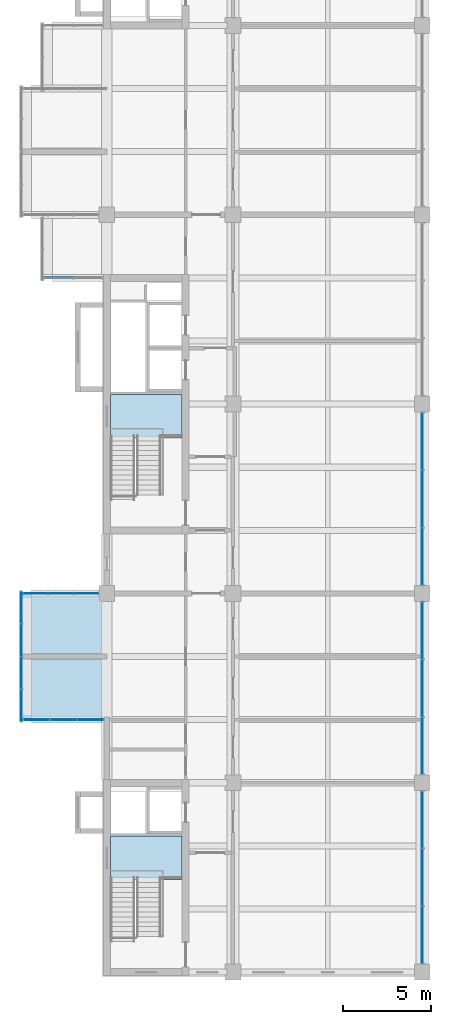
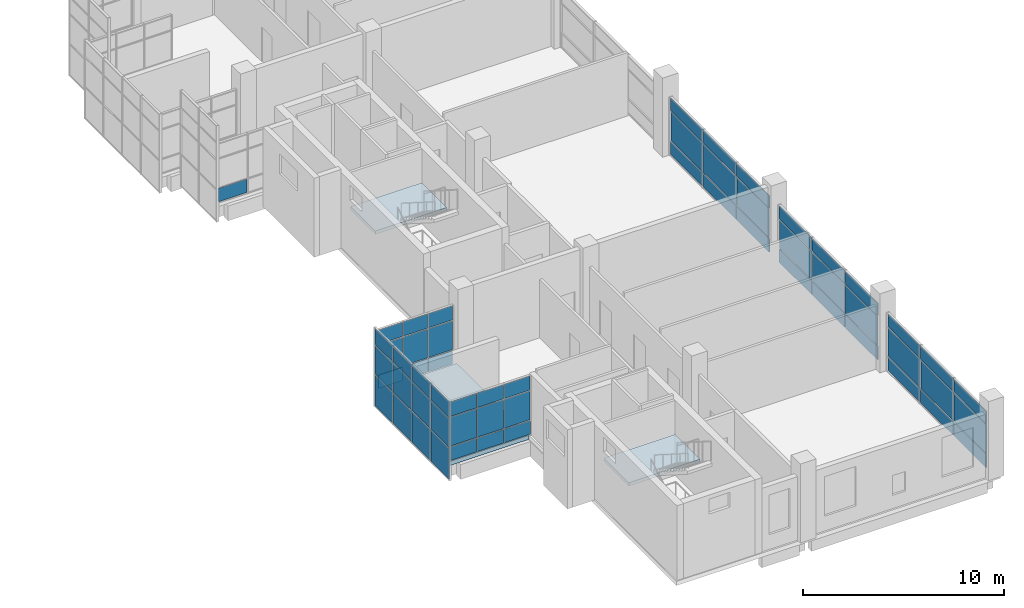
# One storey, part 9 of 15: 58 plates, 3 slabs, 9 elements without a shape of their own.
"""IFC4 building model written with IfcOpenShell, lengths in metres."""

from ifc_helpers import new_model, si_unit, direction, frame, origin, origin_2d, place, context, subcontext, project, spatial, polyline, rectangle, outline, extrude, material, layer, layer_set, type_object, element, aggregate, save


model = new_model("IFC4")

# Units and contexts
model_context = context("Model", 3, precision=1e-05, world=origin(), true_north=direction((0.0, 1.0)))
body_context = subcontext(model_context, "Body", "Model", "MODEL_VIEW")
ifc_project = project(units=[si_unit("LENGTHUNIT", "METRE"), si_unit("AREAUNIT", "SQUARE_METRE"), si_unit("VOLUMEUNIT", "CUBIC_METRE"), si_unit("PLANEANGLEUNIT", "RADIAN"), si_unit("MASSUNIT", "GRAM", prefix="KILO")], contexts=[model_context])

# Site, building, storey
site_placement = place(None, origin())
site = spatial("IfcSite", under=ifc_project, at=site_placement, CompositionType="ELEMENT")
building_placement = place(site_placement, origin())
building = spatial("IfcBuilding", under=site, at=building_placement, Name="Basin Gate Institute", CompositionType="ELEMENT")
storey_placement = place(building_placement, frame((0.0, 0.0, 55.800048828125)))
storey = spatial("IfcBuildingStorey", under=building, at=storey_placement, Name="L11", CompositionType="ELEMENT", Elevation=55.800048828125)

# Slab
ifc_material_1 = material(Name="Concrete 40 MPa", Category="concrete")
ifc_layer_1 = layer(ifc_material_1, 0.25)
ifc_layer_set_1 = layer_set([ifc_layer_1], Name="Concrete 40 MPa")
slab_type_1 = type_object("IfcSlabType", Name="Slab SL4 R120", PredefinedType="FLOOR", material=ifc_layer_set_1)
slab_1_placement = place(storey_placement, frame((0.0, 0.0, -0.25)))
element("IfcSlab", 1, at=slab_1_placement, inside=storey, type_object=slab_type_1, material=ifc_layer_set_1, Name="SLAB/L11/WK12", PredefinedType="FLOOR", context=body_context, shape_type="SweptSolid", body=[
    extrude(outline(polyline([(60.949951171875, 49.5), (56.39990234375, 49.5), (56.39990234375, 56.699951171875), (60.949951171875, 56.699951171875), (60.949951171875, 49.5)])), origin(), (0.0, 0.0, 1.0), 0.25),
])

# Curtain wall, plates
ifc_material_2 = material(Name="Aluminium-framed glazing", Category="aluminium")
ifc_layer_2 = layer(ifc_material_2, 0.199951171875)
ifc_layer_set_2 = layer_set([ifc_layer_2], Name="Atrium curtain wall CW2")
curtain_wall_type_1 = type_object("IfcCurtainWallType", Name="Atrium curtain wall CW2", PredefinedType="NOTDEFINED", material=ifc_layer_set_2)
curtain_wall_1_placement = place(storey_placement, origin())
curtain_wall_1 = element("IfcCurtainWall", 2, at=curtain_wall_1_placement, inside=storey, type_object=curtain_wall_type_1, material=ifc_layer_set_2, Name="Atrium curtain wall W wing atrium bay 1 L11", PredefinedType="NOTDEFINED")
ifc_material_3 = material(Name="Aluminium insulated spandrel panel", Category="aluminium")
ifc_layer_3 = layer(ifc_material_3, 0.050048828125)
ifc_layer_set_3 = layer_set([ifc_layer_3], Name="Spandrel panel PN2")
plate_type_1 = type_object("IfcPlateType", Name="Spandrel panel PN2", PredefinedType="CURTAIN_PANEL", material=ifc_layer_set_3)
plate_1_placement = place(storey_placement, frame((79.199951171875, 37.215087890625, 0.059814453125), z_axis=(0.0, 0.0, 1.0), x_axis=(0.0, 1.0, 0.0)))
plate_1 = element("IfcPlate", 3, at=plate_1_placement, type_object=plate_type_1, material=ifc_layer_set_3, Name="CW2 spandrel panel 1.1", PredefinedType="CURTAIN_PANEL", context=body_context, shape_type="SweptSolid", body=[
    extrude(rectangle(XDim=3.2099609375, YDim=0.050048828125, at=origin_2d()), origin(), (0.0, 0.0, 1.0), 0.81005859375),
])
plate_2_placement = place(storey_placement, frame((79.199951171875, 37.215087890625, 2.72998046875), z_axis=(0.0, 0.0, 1.0), x_axis=(0.0, 1.0, 0.0)))
plate_2 = element("IfcPlate", 4, at=plate_2_placement, type_object=plate_type_1, material=ifc_layer_set_3, Name="CW2 spandrel panel 1.3", PredefinedType="CURTAIN_PANEL", context=body_context, shape_type="SweptSolid", body=[
    extrude(rectangle(XDim=3.2099609375, YDim=0.050048828125, at=origin_2d()), origin(), (0.0, 0.0, 1.0), 0.760009765625),
])
plate_3_placement = place(storey_placement, frame((79.199951171875, 40.5, 0.059814453125), z_axis=(0.0, 0.0, 1.0), x_axis=(0.0, 1.0, 0.0)))
plate_3 = element("IfcPlate", 5, at=plate_3_placement, type_object=plate_type_1, material=ifc_layer_set_3, Name="CW2 spandrel panel 2.1", PredefinedType="CURTAIN_PANEL", context=body_context, shape_type="SweptSolid", body=[
    extrude(rectangle(XDim=3.239990234375, YDim=0.050048828125, at=origin_2d()), origin(), (0.0, 0.0, 1.0), 0.81005859375),
])
plate_4_placement = place(storey_placement, frame((79.199951171875, 40.5, 2.72998046875), z_axis=(0.0, 0.0, 1.0), x_axis=(0.0, 1.0, 0.0)))
plate_4 = element("IfcPlate", 6, at=plate_4_placement, type_object=plate_type_1, material=ifc_layer_set_3, Name="CW2 spandrel panel 2.3", PredefinedType="CURTAIN_PANEL", context=body_context, shape_type="SweptSolid", body=[
    extrude(rectangle(XDim=3.239990234375, YDim=0.050048828125, at=origin_2d()), origin(), (0.0, 0.0, 1.0), 0.760009765625),
])
plate_5_placement = place(storey_placement, frame((79.199951171875, 43.784912109375, 0.059814453125), z_axis=(0.0, 0.0, 1.0), x_axis=(0.0, 1.0, 0.0)))
plate_5 = element("IfcPlate", 7, at=plate_5_placement, type_object=plate_type_1, material=ifc_layer_set_3, Name="CW2 spandrel panel 3.1", PredefinedType="CURTAIN_PANEL", context=body_context, shape_type="SweptSolid", body=[
    extrude(rectangle(XDim=3.2099609375, YDim=0.050048828125, at=origin_2d()), origin(), (0.0, 0.0, 1.0), 0.81005859375),
])
plate_6_placement = place(storey_placement, frame((79.199951171875, 43.784912109375, 2.72998046875), z_axis=(0.0, 0.0, 1.0), x_axis=(0.0, 1.0, 0.0)))
plate_6 = element("IfcPlate", 8, at=plate_6_placement, type_object=plate_type_1, material=ifc_layer_set_3, Name="CW2 spandrel panel 3.3", PredefinedType="CURTAIN_PANEL", context=body_context, shape_type="SweptSolid", body=[
    extrude(rectangle(XDim=3.2099609375, YDim=0.050048828125, at=origin_2d()), origin(), (0.0, 0.0, 1.0), 0.760009765625),
])

curtain_wall_2_placement = place(storey_placement, origin())
curtain_wall_2 = element("IfcCurtainWall", 9, at=curtain_wall_2_placement, inside=storey, type_object=curtain_wall_type_1, material=ifc_layer_set_2, Name="Atrium curtain wall W wing atrium bay 2 L11", PredefinedType="NOTDEFINED")
plate_7_placement = place(storey_placement, frame((79.199951171875, 48.014892578125, 0.059814453125), z_axis=(0.0, 0.0, 1.0), x_axis=(0.0, 1.0, 0.0)))
plate_7 = element("IfcPlate", 10, at=plate_7_placement, type_object=plate_type_1, material=ifc_layer_set_3, Name="CW2 spandrel panel 1.1", PredefinedType="CURTAIN_PANEL", context=body_context, shape_type="SweptSolid", body=[
    extrude(rectangle(XDim=3.2099609375, YDim=0.050048828125, at=origin_2d()), origin(), (0.0, 0.0, 1.0), 0.81005859375),
])
plate_8_placement = place(storey_placement, frame((79.199951171875, 48.014892578125, 2.72998046875), z_axis=(0.0, 0.0, 1.0), x_axis=(0.0, 1.0, 0.0)))
plate_8 = element("IfcPlate", 11, at=plate_8_placement, type_object=plate_type_1, material=ifc_layer_set_3, Name="CW2 spandrel panel 1.3", PredefinedType="CURTAIN_PANEL", context=body_context, shape_type="SweptSolid", body=[
    extrude(rectangle(XDim=3.2099609375, YDim=0.050048828125, at=origin_2d()), origin(), (0.0, 0.0, 1.0), 0.760009765625),
])
plate_9_placement = place(storey_placement, frame((79.199951171875, 51.300048828125, 0.059814453125), z_axis=(0.0, 0.0, 1.0), x_axis=(0.0, 1.0, 0.0)))
plate_9 = element("IfcPlate", 12, at=plate_9_placement, type_object=plate_type_1, material=ifc_layer_set_3, Name="CW2 spandrel panel 2.1", PredefinedType="CURTAIN_PANEL", context=body_context, shape_type="SweptSolid", body=[
    extrude(rectangle(XDim=3.239990234375, YDim=0.050048828125, at=origin_2d()), origin(), (0.0, 0.0, 1.0), 0.81005859375),
])
plate_10_placement = place(storey_placement, frame((79.199951171875, 51.300048828125, 2.72998046875), z_axis=(0.0, 0.0, 1.0), x_axis=(0.0, 1.0, 0.0)))
plate_10 = element("IfcPlate", 13, at=plate_10_placement, type_object=plate_type_1, material=ifc_layer_set_3, Name="CW2 spandrel panel 2.3", PredefinedType="CURTAIN_PANEL", context=body_context, shape_type="SweptSolid", body=[
    extrude(rectangle(XDim=3.239990234375, YDim=0.050048828125, at=origin_2d()), origin(), (0.0, 0.0, 1.0), 0.760009765625),
])
plate_11_placement = place(storey_placement, frame((79.199951171875, 54.5849609375, 0.059814453125), z_axis=(0.0, 0.0, 1.0), x_axis=(0.0, 1.0, 0.0)))
plate_11 = element("IfcPlate", 14, at=plate_11_placement, type_object=plate_type_1, material=ifc_layer_set_3, Name="CW2 spandrel panel 3.1", PredefinedType="CURTAIN_PANEL", context=body_context, shape_type="SweptSolid", body=[
    extrude(rectangle(XDim=3.2099609375, YDim=0.050048828125, at=origin_2d()), origin(), (0.0, 0.0, 1.0), 0.81005859375),
])
plate_12_placement = place(storey_placement, frame((79.199951171875, 54.5849609375, 2.72998046875), z_axis=(0.0, 0.0, 1.0), x_axis=(0.0, 1.0, 0.0)))
plate_12 = element("IfcPlate", 15, at=plate_12_placement, type_object=plate_type_1, material=ifc_layer_set_3, Name="CW2 spandrel panel 3.3", PredefinedType="CURTAIN_PANEL", context=body_context, shape_type="SweptSolid", body=[
    extrude(rectangle(XDim=3.2099609375, YDim=0.050048828125, at=origin_2d()), origin(), (0.0, 0.0, 1.0), 0.760009765625),
])

curtain_wall_3_placement = place(storey_placement, origin())
curtain_wall_3 = element("IfcCurtainWall", 16, at=curtain_wall_3_placement, inside=storey, type_object=curtain_wall_type_1, material=ifc_layer_set_2, Name="Atrium curtain wall W wing atrium bay 3 L11", PredefinedType="NOTDEFINED")
plate_13_placement = place(storey_placement, frame((79.199951171875, 58.81494140625, 0.059814453125), z_axis=(0.0, 0.0, 1.0), x_axis=(0.0, 1.0, 0.0)))
plate_13 = element("IfcPlate", 17, at=plate_13_placement, type_object=plate_type_1, material=ifc_layer_set_3, Name="CW2 spandrel panel 1.1", PredefinedType="CURTAIN_PANEL", context=body_context, shape_type="SweptSolid", body=[
    extrude(rectangle(XDim=3.2099609375, YDim=0.050048828125, at=origin_2d()), origin(), (0.0, 0.0, 1.0), 0.81005859375),
])
plate_14_placement = place(storey_placement, frame((79.199951171875, 58.81494140625, 2.72998046875), z_axis=(0.0, 0.0, 1.0), x_axis=(0.0, 1.0, 0.0)))
plate_14 = element("IfcPlate", 18, at=plate_14_placement, type_object=plate_type_1, material=ifc_layer_set_3, Name="CW2 spandrel panel 1.3", PredefinedType="CURTAIN_PANEL", context=body_context, shape_type="SweptSolid", body=[
    extrude(rectangle(XDim=3.2099609375, YDim=0.050048828125, at=origin_2d()), origin(), (0.0, 0.0, 1.0), 0.760009765625),
])
plate_15_placement = place(storey_placement, frame((79.199951171875, 62.10009765625, 0.059814453125), z_axis=(0.0, 0.0, 1.0), x_axis=(0.0, 1.0, 0.0)))
plate_15 = element("IfcPlate", 19, at=plate_15_placement, type_object=plate_type_1, material=ifc_layer_set_3, Name="CW2 spandrel panel 2.1", PredefinedType="CURTAIN_PANEL", context=body_context, shape_type="SweptSolid", body=[
    extrude(rectangle(XDim=3.239990234375, YDim=0.050048828125, at=origin_2d()), origin(), (0.0, 0.0, 1.0), 0.81005859375),
])
plate_16_placement = place(storey_placement, frame((79.199951171875, 62.10009765625, 2.72998046875), z_axis=(0.0, 0.0, 1.0), x_axis=(0.0, 1.0, 0.0)))
plate_16 = element("IfcPlate", 20, at=plate_16_placement, type_object=plate_type_1, material=ifc_layer_set_3, Name="CW2 spandrel panel 2.3", PredefinedType="CURTAIN_PANEL", context=body_context, shape_type="SweptSolid", body=[
    extrude(rectangle(XDim=3.239990234375, YDim=0.050048828125, at=origin_2d()), origin(), (0.0, 0.0, 1.0), 0.760009765625),
])
plate_17_placement = place(storey_placement, frame((79.199951171875, 65.385009765625, 0.059814453125), z_axis=(0.0, 0.0, 1.0), x_axis=(0.0, 1.0, 0.0)))
plate_17 = element("IfcPlate", 21, at=plate_17_placement, type_object=plate_type_1, material=ifc_layer_set_3, Name="CW2 spandrel panel 3.1", PredefinedType="CURTAIN_PANEL", context=body_context, shape_type="SweptSolid", body=[
    extrude(rectangle(XDim=3.2099609375, YDim=0.050048828125, at=origin_2d()), origin(), (0.0, 0.0, 1.0), 0.81005859375),
])
plate_18_placement = place(storey_placement, frame((79.199951171875, 65.385009765625, 2.72998046875), z_axis=(0.0, 0.0, 1.0), x_axis=(0.0, 1.0, 0.0)))
plate_18 = element("IfcPlate", 22, at=plate_18_placement, type_object=plate_type_1, material=ifc_layer_set_3, Name="CW2 spandrel panel 3.3", PredefinedType="CURTAIN_PANEL", context=body_context, shape_type="SweptSolid", body=[
    extrude(rectangle(XDim=3.2099609375, YDim=0.050048828125, at=origin_2d()), origin(), (0.0, 0.0, 1.0), 0.760009765625),
])

ifc_material_4 = material(Name="Aluminium-framed glazing", Category="aluminium")
ifc_layer_4 = layer(ifc_material_4, 0.14990234375)
ifc_layer_set_4 = layer_set([ifc_layer_4], Name="Capsule front curtain wall CW1")
curtain_wall_type_2 = type_object("IfcCurtainWallType", Name="Capsule front curtain wall CW1", PredefinedType="NOTDEFINED", material=ifc_layer_set_4)
curtain_wall_4_placement = place(storey_placement, origin())
curtain_wall_4 = element("IfcCurtainWall", 23, at=curtain_wall_4_placement, inside=storey, type_object=curtain_wall_type_2, material=ifc_layer_set_4, Name="Capsule front curtain wall W wing capsule end L11 line 5", PredefinedType="NOTDEFINED")
plate_19_placement = place(storey_placement, frame((57.1875, 49.5, 0.059814453125), z_axis=(0.0, 0.0, 1.0), x_axis=(1.0, 0.0, 0.0)))
plate_19 = element("IfcPlate", 24, at=plate_19_placement, type_object=plate_type_1, material=ifc_layer_set_3, Name="CW1 spandrel panel 1.1", PredefinedType="CURTAIN_PANEL", context=body_context, shape_type="SweptSolid", body=[
    extrude(rectangle(XDim=1.47509765625, YDim=0.050048828125, at=origin_2d()), origin(), (0.0, 0.0, 1.0), 0.81005859375),
])
plate_20_placement = place(storey_placement, frame((58.72509765625, 49.5, 0.059814453125), z_axis=(0.0, 0.0, 1.0), x_axis=(1.0, 0.0, 0.0)))
plate_20 = element("IfcPlate", 25, at=plate_20_placement, type_object=plate_type_1, material=ifc_layer_set_3, Name="CW1 spandrel panel 2.1", PredefinedType="CURTAIN_PANEL", context=body_context, shape_type="SweptSolid", body=[
    extrude(rectangle(XDim=1.5, YDim=0.050048828125, at=origin_2d()), origin(), (0.0, 0.0, 1.0), 0.81005859375),
])
plate_21_placement = place(storey_placement, frame((60.262451171875, 49.5, 0.059814453125), z_axis=(0.0, 0.0, 1.0), x_axis=(1.0, 0.0, 0.0)))
plate_21 = element("IfcPlate", 26, at=plate_21_placement, type_object=plate_type_1, material=ifc_layer_set_3, Name="CW1 spandrel panel 3.1", PredefinedType="CURTAIN_PANEL", context=body_context, shape_type="SweptSolid", body=[
    extrude(rectangle(XDim=1.47509765625, YDim=0.050048828125, at=origin_2d()), origin(), (0.0, 0.0, 1.0), 0.81005859375),
])

curtain_wall_5_placement = place(storey_placement, origin())
curtain_wall_5 = element("IfcCurtainWall", 27, at=curtain_wall_5_placement, inside=storey, type_object=curtain_wall_type_2, material=ifc_layer_set_4, Name="Capsule front curtain wall W wing capsule end L11 line 7", PredefinedType="NOTDEFINED")
plate_22_placement = place(storey_placement, frame((57.137451171875, 56.699951171875, 0.059814453125), z_axis=(0.0, 0.0, 1.0), x_axis=(1.0, 0.0, 0.0)))
plate_22 = element("IfcPlate", 28, at=plate_22_placement, type_object=plate_type_1, material=ifc_layer_set_3, Name="CW1 spandrel panel 1.1", PredefinedType="CURTAIN_PANEL", context=body_context, shape_type="SweptSolid", body=[
    extrude(rectangle(XDim=1.375, YDim=0.050048828125, at=origin_2d()), origin(), (0.0, 0.0, 1.0), 0.81005859375),
])
plate_23_placement = place(storey_placement, frame((58.574951171875, 56.699951171875, 0.059814453125), z_axis=(0.0, 0.0, 1.0), x_axis=(1.0, 0.0, 0.0)))
plate_23 = element("IfcPlate", 29, at=plate_23_placement, type_object=plate_type_1, material=ifc_layer_set_3, Name="CW1 spandrel panel 2.1", PredefinedType="CURTAIN_PANEL", context=body_context, shape_type="SweptSolid", body=[
    extrude(rectangle(XDim=1.39990234375, YDim=0.050048828125, at=origin_2d()), origin(), (0.0, 0.0, 1.0), 0.81005859375),
])
plate_24_placement = place(storey_placement, frame((60.012451171875, 56.699951171875, 0.059814453125), z_axis=(0.0, 0.0, 1.0), x_axis=(1.0, 0.0, 0.0)))
plate_24 = element("IfcPlate", 30, at=plate_24_placement, type_object=plate_type_1, material=ifc_layer_set_3, Name="CW1 spandrel panel 3.1", PredefinedType="CURTAIN_PANEL", context=body_context, shape_type="SweptSolid", body=[
    extrude(rectangle(XDim=1.375, YDim=0.050048828125, at=origin_2d()), origin(), (0.0, 0.0, 1.0), 0.81005859375),
])

# Curtain wall, plate
curtain_wall_6_placement = place(storey_placement, origin())
curtain_wall_6 = element("IfcCurtainWall", 31, at=curtain_wall_6_placement, inside=storey, type_object=curtain_wall_type_2, material=ifc_layer_set_4, Name="Capsule front curtain wall W wing capsule end L11 line 12", PredefinedType="NOTDEFINED")
plate_25_placement = place(storey_placement, frame((58.46240234375, 74.699951171875, 0.059814453125), z_axis=(0.0, 0.0, 1.0), x_axis=(1.0, 0.0, 0.0)))
plate_25 = element("IfcPlate", 32, at=plate_25_placement, type_object=plate_type_1, material=ifc_layer_set_3, Name="CW1 spandrel panel 1.1", PredefinedType="CURTAIN_PANEL", context=body_context, shape_type="SweptSolid", body=[
    extrude(rectangle(XDim=1.625, YDim=0.050048828125, at=origin_2d()), origin(), (0.0, 0.0, 1.0), 0.81005859375),
])
aggregate(curtain_wall_6, [plate_25])

# Curtain wall, plates
curtain_wall_7_placement = place(storey_placement, origin())
curtain_wall_7 = element("IfcCurtainWall", 33, at=curtain_wall_7_placement, inside=storey, type_object=curtain_wall_type_2, material=ifc_layer_set_4, Name="Capsule front curtain wall W wing capsule 1 L11 front 2", PredefinedType="NOTDEFINED")
plate_26_placement = place(storey_placement, frame((56.324951171875, 50.300048828125, -0.990234375), z_axis=(0.0, 0.0, 1.0), x_axis=(0.0, 1.0, 0.0)))
plate_26 = element("IfcPlate", 34, at=plate_26_placement, type_object=plate_type_1, material=ifc_layer_set_3, Name="CW1 spandrel panel 1.1", PredefinedType="CURTAIN_PANEL", context=body_context, shape_type="SweptSolid", body=[
    extrude(rectangle(XDim=1.800048828125, YDim=0.050048828125, at=origin_2d()), origin(), (0.0, 0.0, 1.0), 1.860107421875),
])
plate_27_placement = place(storey_placement, frame((56.324951171875, 52.16259765625, -0.990234375), z_axis=(0.0, 0.0, 1.0), x_axis=(0.0, 1.0, 0.0)))
plate_27 = element("IfcPlate", 35, at=plate_27_placement, type_object=plate_type_1, material=ifc_layer_set_3, Name="CW1 spandrel panel 2.1", PredefinedType="CURTAIN_PANEL", context=body_context, shape_type="SweptSolid", body=[
    extrude(rectangle(XDim=1.824951171875, YDim=0.050048828125, at=origin_2d()), origin(), (0.0, 0.0, 1.0), 1.860107421875),
])
plate_28_placement = place(storey_placement, frame((56.324951171875, 54.03759765625, -0.990234375), z_axis=(0.0, 0.0, 1.0), x_axis=(0.0, 1.0, 0.0)))
plate_28 = element("IfcPlate", 36, at=plate_28_placement, type_object=plate_type_1, material=ifc_layer_set_3, Name="CW1 spandrel panel 3.1", PredefinedType="CURTAIN_PANEL", context=body_context, shape_type="SweptSolid", body=[
    extrude(rectangle(XDim=1.824951171875, YDim=0.050048828125, at=origin_2d()), origin(), (0.0, 0.0, 1.0), 1.860107421875),
])
plate_29_placement = place(storey_placement, frame((56.324951171875, 55.89990234375, -0.990234375), z_axis=(0.0, 0.0, 1.0), x_axis=(0.0, 1.0, 0.0)))
plate_29 = element("IfcPlate", 37, at=plate_29_placement, type_object=plate_type_1, material=ifc_layer_set_3, Name="CW1 spandrel panel 4.1", PredefinedType="CURTAIN_PANEL", context=body_context, shape_type="SweptSolid", body=[
    extrude(rectangle(XDim=1.800048828125, YDim=0.050048828125, at=origin_2d()), origin(), (0.0, 0.0, 1.0), 1.860107421875),
])

# Stair, slab
ifc_material_5 = material(Name="Concrete 40 MPa", Category="concrete")
stair_type = type_object("IfcStairType", Name="Stair ST", PredefinedType="HALF_TURN_STAIR", material=ifc_material_5)
stair_1_placement = place(storey_placement, origin())
stair_1 = element("IfcStair", 38, at=stair_1_placement, inside=storey, type_object=stair_type, material=ifc_material_5, Name="Special safe stair ST-WS L11", PredefinedType="HALF_TURN_STAIR")
ifc_material_6 = material(Name="Concrete 40 MPa", Category="concrete")
ifc_layer_5 = layer(ifc_material_6, 0.199951171875)
ifc_layer_set_5 = layer_set([ifc_layer_5], Name="Concrete 40 MPa")
slab_type_2 = type_object("IfcSlabType", Name="Stair landing LN REI 120", PredefinedType="LANDING", material=ifc_layer_set_5)
slab_2_placement = place(storey_placement, frame((0.0, 0.0, 2.288818359375)))
slab_2 = element("IfcSlab", 39, at=slab_2_placement, type_object=slab_type_2, material=ifc_layer_set_5, Name="Stair landing ST-WS-L1 L11", PredefinedType="LANDING", context=body_context, shape_type="SweptSolid", body=[
    extrude(outline(polyline([(61.39990234375, 40.3701171875), (65.5, 40.3701171875), (65.5, 42.85009765625), (61.39990234375, 42.85009765625), (61.39990234375, 40.3701171875)])), origin(), (0.0, 0.0, 1.0), 0.199951171875),
])
aggregate(stair_1, [slab_2])

stair_2_placement = place(storey_placement, origin())
stair_2 = element("IfcStair", 40, at=stair_2_placement, inside=storey, type_object=stair_type, material=ifc_material_5, Name="Special safe stair ST-WM L11", PredefinedType="HALF_TURN_STAIR")
slab_3_placement = place(storey_placement, frame((0.0, 0.0, 2.288818359375)))
slab_3 = element("IfcSlab", 41, at=slab_3_placement, type_object=slab_type_2, material=ifc_layer_set_5, Name="Stair landing ST-WM-L1 L11", PredefinedType="LANDING", context=body_context, shape_type="SweptSolid", body=[
    extrude(outline(polyline([(61.39990234375, 65.570068359375), (65.5, 65.570068359375), (65.5, 68.050048828125), (61.39990234375, 68.050048828125), (61.39990234375, 65.570068359375)])), origin(), (0.0, 0.0, 1.0), 0.199951171875),
])
aggregate(stair_2, [slab_3])

# Plate
ifc_material_7 = material(Name="Double glazed unit")
ifc_layer_6 = layer(ifc_material_7, 0.028076171875)
ifc_layer_set_6 = layer_set([ifc_layer_6], Name="Vision panel PN1")
plate_type_2 = type_object("IfcPlateType", Name="Vision panel PN1", PredefinedType="CURTAIN_PANEL", material=ifc_layer_set_6)
plate_30_placement = place(storey_placement, frame((79.199951171875, 37.215087890625, 0.93017578125), z_axis=(0.0, 0.0, 1.0), x_axis=(0.0, 1.0, 0.0)))
plate_30 = element("IfcPlate", 42, at=plate_30_placement, type_object=plate_type_2, material=ifc_layer_set_6, Name="CW2 vision panel 1.2", PredefinedType="CURTAIN_PANEL", context=body_context, shape_type="SweptSolid", body=[
    extrude(rectangle(XDim=3.2099609375, YDim=0.028076171875, at=origin_2d()), origin(), (0.0, 0.0, 1.0), 1.739990234375),
])

plate_31_placement = place(storey_placement, frame((79.199951171875, 40.5, 0.93017578125), z_axis=(0.0, 0.0, 1.0), x_axis=(0.0, 1.0, 0.0)))
plate_31 = element("IfcPlate", 43, at=plate_31_placement, type_object=plate_type_2, material=ifc_layer_set_6, Name="CW2 vision panel 2.2", PredefinedType="CURTAIN_PANEL", context=body_context, shape_type="SweptSolid", body=[
    extrude(rectangle(XDim=3.239990234375, YDim=0.028076171875, at=origin_2d()), origin(), (0.0, 0.0, 1.0), 1.739990234375),
])

plate_32_placement = place(storey_placement, frame((79.199951171875, 43.784912109375, 0.93017578125), z_axis=(0.0, 0.0, 1.0), x_axis=(0.0, 1.0, 0.0)))
plate_32 = element("IfcPlate", 44, at=plate_32_placement, type_object=plate_type_2, material=ifc_layer_set_6, Name="CW2 vision panel 3.2", PredefinedType="CURTAIN_PANEL", context=body_context, shape_type="SweptSolid", body=[
    extrude(rectangle(XDim=3.2099609375, YDim=0.028076171875, at=origin_2d()), origin(), (0.0, 0.0, 1.0), 1.739990234375),
])

aggregate(curtain_wall_1, [plate_1, plate_30, plate_2, plate_3, plate_31, plate_4, plate_5, plate_32, plate_6])

plate_33_placement = place(storey_placement, frame((79.199951171875, 48.014892578125, 0.93017578125), z_axis=(0.0, 0.0, 1.0), x_axis=(0.0, 1.0, 0.0)))
plate_33 = element("IfcPlate", 45, at=plate_33_placement, type_object=plate_type_2, material=ifc_layer_set_6, Name="CW2 vision panel 1.2", PredefinedType="CURTAIN_PANEL", context=body_context, shape_type="SweptSolid", body=[
    extrude(rectangle(XDim=3.2099609375, YDim=0.028076171875, at=origin_2d()), origin(), (0.0, 0.0, 1.0), 1.739990234375),
])

plate_34_placement = place(storey_placement, frame((79.199951171875, 51.300048828125, 0.93017578125), z_axis=(0.0, 0.0, 1.0), x_axis=(0.0, 1.0, 0.0)))
plate_34 = element("IfcPlate", 46, at=plate_34_placement, type_object=plate_type_2, material=ifc_layer_set_6, Name="CW2 vision panel 2.2", PredefinedType="CURTAIN_PANEL", context=body_context, shape_type="SweptSolid", body=[
    extrude(rectangle(XDim=3.239990234375, YDim=0.028076171875, at=origin_2d()), origin(), (0.0, 0.0, 1.0), 1.739990234375),
])

plate_35_placement = place(storey_placement, frame((79.199951171875, 54.5849609375, 0.93017578125), z_axis=(0.0, 0.0, 1.0), x_axis=(0.0, 1.0, 0.0)))
plate_35 = element("IfcPlate", 47, at=plate_35_placement, type_object=plate_type_2, material=ifc_layer_set_6, Name="CW2 vision panel 3.2", PredefinedType="CURTAIN_PANEL", context=body_context, shape_type="SweptSolid", body=[
    extrude(rectangle(XDim=3.2099609375, YDim=0.028076171875, at=origin_2d()), origin(), (0.0, 0.0, 1.0), 1.739990234375),
])

aggregate(curtain_wall_2, [plate_7, plate_33, plate_8, plate_9, plate_34, plate_10, plate_11, plate_35, plate_12])

plate_36_placement = place(storey_placement, frame((79.199951171875, 58.81494140625, 0.93017578125), z_axis=(0.0, 0.0, 1.0), x_axis=(0.0, 1.0, 0.0)))
plate_36 = element("IfcPlate", 48, at=plate_36_placement, type_object=plate_type_2, material=ifc_layer_set_6, Name="CW2 vision panel 1.2", PredefinedType="CURTAIN_PANEL", context=body_context, shape_type="SweptSolid", body=[
    extrude(rectangle(XDim=3.2099609375, YDim=0.028076171875, at=origin_2d()), origin(), (0.0, 0.0, 1.0), 1.739990234375),
])

plate_37_placement = place(storey_placement, frame((79.199951171875, 62.10009765625, 0.93017578125), z_axis=(0.0, 0.0, 1.0), x_axis=(0.0, 1.0, 0.0)))
plate_37 = element("IfcPlate", 49, at=plate_37_placement, type_object=plate_type_2, material=ifc_layer_set_6, Name="CW2 vision panel 2.2", PredefinedType="CURTAIN_PANEL", context=body_context, shape_type="SweptSolid", body=[
    extrude(rectangle(XDim=3.239990234375, YDim=0.028076171875, at=origin_2d()), origin(), (0.0, 0.0, 1.0), 1.739990234375),
])

plate_38_placement = place(storey_placement, frame((79.199951171875, 65.385009765625, 0.93017578125), z_axis=(0.0, 0.0, 1.0), x_axis=(0.0, 1.0, 0.0)))
plate_38 = element("IfcPlate", 50, at=plate_38_placement, type_object=plate_type_2, material=ifc_layer_set_6, Name="CW2 vision panel 3.2", PredefinedType="CURTAIN_PANEL", context=body_context, shape_type="SweptSolid", body=[
    extrude(rectangle(XDim=3.2099609375, YDim=0.028076171875, at=origin_2d()), origin(), (0.0, 0.0, 1.0), 1.739990234375),
])

aggregate(curtain_wall_3, [plate_13, plate_36, plate_14, plate_15, plate_37, plate_16, plate_17, plate_38, plate_18])

plate_39_placement = place(storey_placement, frame((57.1875, 49.5, 0.93017578125), z_axis=(0.0, 0.0, 1.0), x_axis=(1.0, 0.0, 0.0)))
plate_39 = element("IfcPlate", 51, at=plate_39_placement, type_object=plate_type_2, material=ifc_layer_set_6, Name="CW1 vision panel 1.2", PredefinedType="CURTAIN_PANEL", context=body_context, shape_type="SweptSolid", body=[
    extrude(rectangle(XDim=1.47509765625, YDim=0.028076171875, at=origin_2d()), origin(), (0.0, 0.0, 1.0), 1.739990234375),
])

plate_40_placement = place(storey_placement, frame((57.1875, 49.5, 2.72998046875), z_axis=(0.0, 0.0, 1.0), x_axis=(1.0, 0.0, 0.0)))
plate_40 = element("IfcPlate", 52, at=plate_40_placement, type_object=plate_type_2, material=ifc_layer_set_6, Name="CW1 vision panel 1.3", PredefinedType="CURTAIN_PANEL", context=body_context, shape_type="SweptSolid", body=[
    extrude(rectangle(XDim=1.47509765625, YDim=0.028076171875, at=origin_2d()), origin(), (0.0, 0.0, 1.0), 0.860107421875),
])

plate_41_placement = place(storey_placement, frame((58.72509765625, 49.5, 0.93017578125), z_axis=(0.0, 0.0, 1.0), x_axis=(1.0, 0.0, 0.0)))
plate_41 = element("IfcPlate", 53, at=plate_41_placement, type_object=plate_type_2, material=ifc_layer_set_6, Name="CW1 vision panel 2.2", PredefinedType="CURTAIN_PANEL", context=body_context, shape_type="SweptSolid", body=[
    extrude(rectangle(XDim=1.5, YDim=0.028076171875, at=origin_2d()), origin(), (0.0, 0.0, 1.0), 1.739990234375),
])

plate_42_placement = place(storey_placement, frame((58.72509765625, 49.5, 2.72998046875), z_axis=(0.0, 0.0, 1.0), x_axis=(1.0, 0.0, 0.0)))
plate_42 = element("IfcPlate", 54, at=plate_42_placement, type_object=plate_type_2, material=ifc_layer_set_6, Name="CW1 vision panel 2.3", PredefinedType="CURTAIN_PANEL", context=body_context, shape_type="SweptSolid", body=[
    extrude(rectangle(XDim=1.5, YDim=0.028076171875, at=origin_2d()), origin(), (0.0, 0.0, 1.0), 0.860107421875),
])

plate_43_placement = place(storey_placement, frame((60.262451171875, 49.5, 0.93017578125), z_axis=(0.0, 0.0, 1.0), x_axis=(1.0, 0.0, 0.0)))
plate_43 = element("IfcPlate", 55, at=plate_43_placement, type_object=plate_type_2, material=ifc_layer_set_6, Name="CW1 vision panel 3.2", PredefinedType="CURTAIN_PANEL", context=body_context, shape_type="SweptSolid", body=[
    extrude(rectangle(XDim=1.47509765625, YDim=0.028076171875, at=origin_2d()), origin(), (0.0, 0.0, 1.0), 1.739990234375),
])

plate_44_placement = place(storey_placement, frame((60.262451171875, 49.5, 2.72998046875), z_axis=(0.0, 0.0, 1.0), x_axis=(1.0, 0.0, 0.0)))
plate_44 = element("IfcPlate", 56, at=plate_44_placement, type_object=plate_type_2, material=ifc_layer_set_6, Name="CW1 vision panel 3.3", PredefinedType="CURTAIN_PANEL", context=body_context, shape_type="SweptSolid", body=[
    extrude(rectangle(XDim=1.47509765625, YDim=0.028076171875, at=origin_2d()), origin(), (0.0, 0.0, 1.0), 0.860107421875),
])

aggregate(curtain_wall_4, [plate_19, plate_39, plate_40, plate_20, plate_41, plate_42, plate_21, plate_43, plate_44])

plate_45_placement = place(storey_placement, frame((57.137451171875, 56.699951171875, 0.93017578125), z_axis=(0.0, 0.0, 1.0), x_axis=(1.0, 0.0, 0.0)))
plate_45 = element("IfcPlate", 57, at=plate_45_placement, type_object=plate_type_2, material=ifc_layer_set_6, Name="CW1 vision panel 1.2", PredefinedType="CURTAIN_PANEL", context=body_context, shape_type="SweptSolid", body=[
    extrude(rectangle(XDim=1.375, YDim=0.028076171875, at=origin_2d()), origin(), (0.0, 0.0, 1.0), 1.739990234375),
])

plate_46_placement = place(storey_placement, frame((57.137451171875, 56.699951171875, 2.72998046875), z_axis=(0.0, 0.0, 1.0), x_axis=(1.0, 0.0, 0.0)))
plate_46 = element("IfcPlate", 58, at=plate_46_placement, type_object=plate_type_2, material=ifc_layer_set_6, Name="CW1 vision panel 1.3", PredefinedType="CURTAIN_PANEL", context=body_context, shape_type="SweptSolid", body=[
    extrude(rectangle(XDim=1.375, YDim=0.028076171875, at=origin_2d()), origin(), (0.0, 0.0, 1.0), 0.860107421875),
])

plate_47_placement = place(storey_placement, frame((58.574951171875, 56.699951171875, 0.93017578125), z_axis=(0.0, 0.0, 1.0), x_axis=(1.0, 0.0, 0.0)))
plate_47 = element("IfcPlate", 59, at=plate_47_placement, type_object=plate_type_2, material=ifc_layer_set_6, Name="CW1 vision panel 2.2", PredefinedType="CURTAIN_PANEL", context=body_context, shape_type="SweptSolid", body=[
    extrude(rectangle(XDim=1.39990234375, YDim=0.028076171875, at=origin_2d()), origin(), (0.0, 0.0, 1.0), 1.739990234375),
])

plate_48_placement = place(storey_placement, frame((58.574951171875, 56.699951171875, 2.72998046875), z_axis=(0.0, 0.0, 1.0), x_axis=(1.0, 0.0, 0.0)))
plate_48 = element("IfcPlate", 60, at=plate_48_placement, type_object=plate_type_2, material=ifc_layer_set_6, Name="CW1 vision panel 2.3", PredefinedType="CURTAIN_PANEL", context=body_context, shape_type="SweptSolid", body=[
    extrude(rectangle(XDim=1.39990234375, YDim=0.028076171875, at=origin_2d()), origin(), (0.0, 0.0, 1.0), 0.860107421875),
])

plate_49_placement = place(storey_placement, frame((60.012451171875, 56.699951171875, 0.93017578125), z_axis=(0.0, 0.0, 1.0), x_axis=(1.0, 0.0, 0.0)))
plate_49 = element("IfcPlate", 61, at=plate_49_placement, type_object=plate_type_2, material=ifc_layer_set_6, Name="CW1 vision panel 3.2", PredefinedType="CURTAIN_PANEL", context=body_context, shape_type="SweptSolid", body=[
    extrude(rectangle(XDim=1.375, YDim=0.028076171875, at=origin_2d()), origin(), (0.0, 0.0, 1.0), 1.739990234375),
])

plate_50_placement = place(storey_placement, frame((60.012451171875, 56.699951171875, 2.72998046875), z_axis=(0.0, 0.0, 1.0), x_axis=(1.0, 0.0, 0.0)))
plate_50 = element("IfcPlate", 62, at=plate_50_placement, type_object=plate_type_2, material=ifc_layer_set_6, Name="CW1 vision panel 3.3", PredefinedType="CURTAIN_PANEL", context=body_context, shape_type="SweptSolid", body=[
    extrude(rectangle(XDim=1.375, YDim=0.028076171875, at=origin_2d()), origin(), (0.0, 0.0, 1.0), 0.860107421875),
])

aggregate(curtain_wall_5, [plate_22, plate_45, plate_46, plate_23, plate_47, plate_48, plate_24, plate_49, plate_50])

plate_51_placement = place(storey_placement, frame((56.324951171875, 50.300048828125, 0.93017578125), z_axis=(0.0, 0.0, 1.0), x_axis=(0.0, 1.0, 0.0)))
plate_51 = element("IfcPlate", 63, at=plate_51_placement, type_object=plate_type_2, material=ifc_layer_set_6, Name="CW1 vision panel 1.2", PredefinedType="CURTAIN_PANEL", context=body_context, shape_type="SweptSolid", body=[
    extrude(rectangle(XDim=1.800048828125, YDim=0.028076171875, at=origin_2d()), origin(), (0.0, 0.0, 1.0), 1.739990234375),
])

plate_52_placement = place(storey_placement, frame((56.324951171875, 50.300048828125, 2.72998046875), z_axis=(0.0, 0.0, 1.0), x_axis=(0.0, 1.0, 0.0)))
plate_52 = element("IfcPlate", 64, at=plate_52_placement, type_object=plate_type_2, material=ifc_layer_set_6, Name="CW1 vision panel 1.3", PredefinedType="CURTAIN_PANEL", context=body_context, shape_type="SweptSolid", body=[
    extrude(rectangle(XDim=1.800048828125, YDim=0.028076171875, at=origin_2d()), origin(), (0.0, 0.0, 1.0), 0.9599609375),
])

plate_53_placement = place(storey_placement, frame((56.324951171875, 52.16259765625, 0.93017578125), z_axis=(0.0, 0.0, 1.0), x_axis=(0.0, 1.0, 0.0)))
plate_53 = element("IfcPlate", 65, at=plate_53_placement, type_object=plate_type_2, material=ifc_layer_set_6, Name="CW1 vision panel 2.2", PredefinedType="CURTAIN_PANEL", context=body_context, shape_type="SweptSolid", body=[
    extrude(rectangle(XDim=1.824951171875, YDim=0.028076171875, at=origin_2d()), origin(), (0.0, 0.0, 1.0), 1.739990234375),
])

plate_54_placement = place(storey_placement, frame((56.324951171875, 52.16259765625, 2.72998046875), z_axis=(0.0, 0.0, 1.0), x_axis=(0.0, 1.0, 0.0)))
plate_54 = element("IfcPlate", 66, at=plate_54_placement, type_object=plate_type_2, material=ifc_layer_set_6, Name="CW1 vision panel 2.3", PredefinedType="CURTAIN_PANEL", context=body_context, shape_type="SweptSolid", body=[
    extrude(rectangle(XDim=1.824951171875, YDim=0.028076171875, at=origin_2d()), origin(), (0.0, 0.0, 1.0), 0.9599609375),
])

plate_55_placement = place(storey_placement, frame((56.324951171875, 54.03759765625, 0.93017578125), z_axis=(0.0, 0.0, 1.0), x_axis=(0.0, 1.0, 0.0)))
plate_55 = element("IfcPlate", 67, at=plate_55_placement, type_object=plate_type_2, material=ifc_layer_set_6, Name="CW1 vision panel 3.2", PredefinedType="CURTAIN_PANEL", context=body_context, shape_type="SweptSolid", body=[
    extrude(rectangle(XDim=1.824951171875, YDim=0.028076171875, at=origin_2d()), origin(), (0.0, 0.0, 1.0), 1.739990234375),
])

plate_56_placement = place(storey_placement, frame((56.324951171875, 54.03759765625, 2.72998046875), z_axis=(0.0, 0.0, 1.0), x_axis=(0.0, 1.0, 0.0)))
plate_56 = element("IfcPlate", 68, at=plate_56_placement, type_object=plate_type_2, material=ifc_layer_set_6, Name="CW1 vision panel 3.3", PredefinedType="CURTAIN_PANEL", context=body_context, shape_type="SweptSolid", body=[
    extrude(rectangle(XDim=1.824951171875, YDim=0.028076171875, at=origin_2d()), origin(), (0.0, 0.0, 1.0), 0.9599609375),
])

plate_57_placement = place(storey_placement, frame((56.324951171875, 55.89990234375, 0.93017578125), z_axis=(0.0, 0.0, 1.0), x_axis=(0.0, 1.0, 0.0)))
plate_57 = element("IfcPlate", 69, at=plate_57_placement, type_object=plate_type_2, material=ifc_layer_set_6, Name="CW1 vision panel 4.2", PredefinedType="CURTAIN_PANEL", context=body_context, shape_type="SweptSolid", body=[
    extrude(rectangle(XDim=1.800048828125, YDim=0.028076171875, at=origin_2d()), origin(), (0.0, 0.0, 1.0), 1.739990234375),
])

plate_58_placement = place(storey_placement, frame((56.324951171875, 55.89990234375, 2.72998046875), z_axis=(0.0, 0.0, 1.0), x_axis=(0.0, 1.0, 0.0)))
plate_58 = element("IfcPlate", 70, at=plate_58_placement, type_object=plate_type_2, material=ifc_layer_set_6, Name="CW1 vision panel 4.3", PredefinedType="CURTAIN_PANEL", context=body_context, shape_type="SweptSolid", body=[
    extrude(rectangle(XDim=1.800048828125, YDim=0.028076171875, at=origin_2d()), origin(), (0.0, 0.0, 1.0), 0.9599609375),
])

aggregate(curtain_wall_7, [plate_26, plate_51, plate_52, plate_27, plate_53, plate_54, plate_28, plate_55, plate_56, plate_29, plate_57, plate_58])

save(model, "model.ifc")
